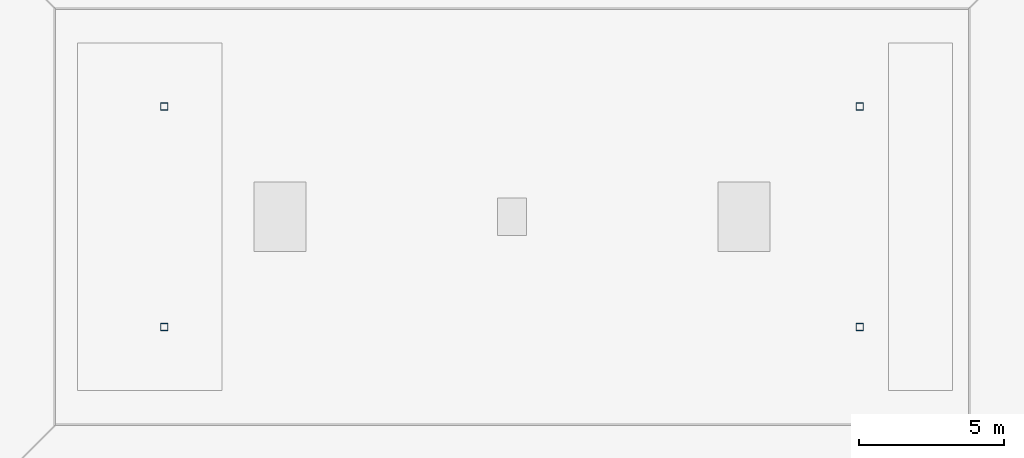
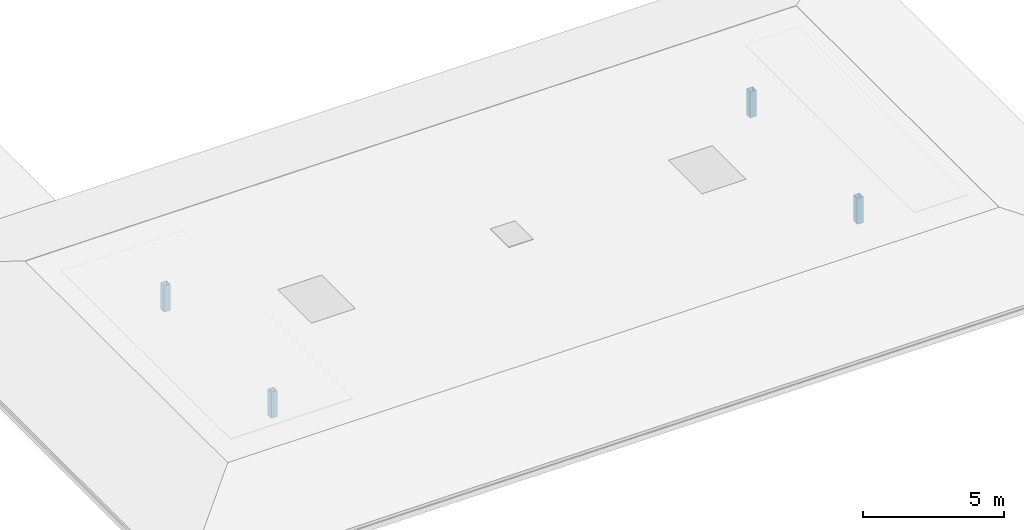
# One storey, part 1 of 63: 4 columns.
"""IFC4 building model written with IfcOpenShell, lengths in metres."""

import ifcopenshell
import ifcopenshell.guid

model = None  # the IFC model being written
_history = None  # IfcOwnerHistory: only IFC2X3 demands one
_inside = {}  # id of a spatial element -> (the spatial element, [elements in it])
_under = {}  # id of a project, library or spatial element -> (it, [spatial elements below it])
_declared = {}  # id of a project -> (the project, [libraries it declares])
_typed = {}  # id of a type object -> (the type object, [elements of that type])
_made_of = {}  # id of a material, layer set ... -> (it, [elements and type objects made of it])


def new_model(schema):
    """Start an empty IFC model of exactly this schema.

    Asked for "IFC4X3", IfcOpenShell would pick the latest addendum, in which some entities
    have other attributes; the version numbers below select the first issue.
    IFC2X3 requires an IfcOwnerHistory on every rooted entity: one is made here for all.
    """
    global model, _history
    if schema == "IFC4X3":
        model = ifcopenshell.file(schema_version=(4, 3, 0, 0))
    else:
        model = ifcopenshell.file(schema=schema)
    _inside.clear()
    _under.clear()
    _declared.clear()
    _typed.clear()
    _made_of.clear()
    _history = None
    if model.schema == "IFC2X3":
        org = make("IfcOrganization", Name="unknown")
        user = make(
            "IfcPersonAndOrganization",
            ThePerson=make("IfcPerson", FamilyName="unknown"),
            TheOrganization=org,
        )
        app = make(
            "IfcApplication",
            ApplicationDeveloper=org,
            Version="unknown",
            ApplicationFullName="unknown",
            ApplicationIdentifier="unknown",
        )
        _history = make(
            "IfcOwnerHistory",
            OwningUser=user,
            OwningApplication=app,
            ChangeAction="ADDED",
            CreationDate=0,
        )
    return model


def make(cls, **values):
    """One entity of the class cls with the attributes given. An attribute that is None is left unset."""
    return model.create_entity(
        cls, **{name: value for name, value in values.items() if value is not None}
    )


def rooted(cls, **values):
    """An entity with a GlobalId (a new one), such as an element, a storey or a relation."""
    return make(cls, GlobalId=ifcopenshell.guid.new(), OwnerHistory=_history, **values)


def si_unit(unit_type, name, prefix=None):
    """IfcSIUnit, for example si_unit("LENGTHUNIT", "METRE", prefix="MILLI")."""
    return make("IfcSIUnit", UnitType=unit_type, Prefix=prefix, Name=name)


def assignment(units):
    """IfcUnitAssignment: the units of a project."""
    return None if units is None else make("IfcUnitAssignment", Units=units)


def point(xyz):
    """IfcCartesianPoint."""
    return None if xyz is None else make("IfcCartesianPoint", Coordinates=xyz)


def direction(xyz):
    """IfcDirection."""
    return None if xyz is None else make("IfcDirection", DirectionRatios=xyz)


def frame(location, z_axis=None, x_axis=None):
    """IfcAxis2Placement3D, a coordinate frame: its origin and axes. An axis left out is left unset."""
    return make(
        "IfcAxis2Placement3D",
        Location=point(location),
        Axis=direction(z_axis),
        RefDirection=direction(x_axis),
    )


def frame_2d(location, x_axis=None):
    """IfcAxis2Placement2D, a coordinate frame in the plane: its origin and x axis."""
    return make(
        "IfcAxis2Placement2D", Location=point(location), RefDirection=direction(x_axis)
    )


def origin():
    """The frame at (0, 0, 0) with its axes left unset."""
    return frame((0.0, 0.0, 0.0))


def origin_2d():
    """The frame at (0, 0) in the plane with its x axis left unset."""
    return frame_2d((0.0, 0.0))


def place(relative_to, where):
    """IfcLocalPlacement: puts the frame where relative to a parent placement (None: the world)."""
    return make(
        "IfcLocalPlacement", PlacementRelTo=relative_to, RelativePlacement=where
    )


def context(
    kind, dimensions, precision=None, world=None, true_north=None, identifier=None
):
    """IfcGeometricRepresentationContext, for example the 3D "Model" context."""
    return make(
        "IfcGeometricRepresentationContext",
        ContextIdentifier=identifier,
        ContextType=kind,
        CoordinateSpaceDimension=dimensions,
        Precision=precision,
        WorldCoordinateSystem=world,
        TrueNorth=true_north,
    )


def subcontext(parent, identifier, kind, view, scale=None):
    """IfcGeometricRepresentationSubContext, for example "Body" below "Model"."""
    return make(
        "IfcGeometricRepresentationSubContext",
        ContextIdentifier=identifier,
        ContextType=kind,
        ParentContext=parent,
        TargetScale=scale,
        TargetView=view,
    )


def project(units=None, contexts=None):
    """IfcProject with its units and contexts."""
    return rooted(
        "IfcProject",
        Name="project",
        RepresentationContexts=contexts,
        UnitsInContext=assignment(units),
    )


def spatial(cls, under=None, at=None, **own):
    """A site, building, storey or space (cls), placed at a placement, below another one or the project."""
    s = rooted(cls, ObjectPlacement=at, **own)
    if under is not None:
        _under.setdefault(under.id(), (under, []))[1].append(s)
    return s


def profile(cls, at=None, kind="AREA", **sizes):
    """A parametric profile (cls). Its sizes go by their IFC names, for example OverallWidth=200.0."""
    return make(cls, ProfileType=kind, Position=at, **sizes)


def hollow_rectangle(**sizes):
    """IfcRectangleHollowProfileDef."""
    return profile("IfcRectangleHollowProfileDef", **sizes)


def extrude(swept, where, along, depth):
    """IfcExtrudedAreaSolid: the profile swept, set in the frame where, extruded along a direction by depth."""
    return make(
        "IfcExtrudedAreaSolid",
        SweptArea=swept,
        Position=where,
        ExtrudedDirection=direction(along),
        Depth=depth,
    )


def shape(context_of_items, identifier, shape_type, items):
    """IfcShapeRepresentation: the items that make up one representation, for example the "Body"."""
    return make(
        "IfcShapeRepresentation",
        ContextOfItems=context_of_items,
        RepresentationIdentifier=identifier,
        RepresentationType=shape_type,
        Items=items,
    )


def material(Name=None, Category=None):
    """IfcMaterial."""
    return make("IfcMaterial", Name=Name, Category=Category)


def material_profile(
    of_material, cross_section, Name=None, Category=None, Priority=None
):
    """IfcMaterialProfile: a cross section and its material."""
    return make(
        "IfcMaterialProfile",
        Name=Name,
        Material=of_material,
        Profile=cross_section,
        Priority=Priority,
        Category=Category,
    )


def profile_set(profiles, Name=None, composite=None):
    """IfcMaterialProfileSet."""
    return make(
        "IfcMaterialProfileSet",
        Name=Name,
        MaterialProfiles=profiles,
        CompositeProfile=composite,
    )


def made_of(thing, what):
    """Note that an element or type object is made of a material, layer set ...; save() writes the relation."""
    if what is not None:
        _made_of.setdefault(what.id(), (what, []))[1].append(thing)
    return thing


def type_object(cls, material=None, **own):
    """A type object (cls), such as IfcWallType, which elements share."""
    return made_of(rooted(cls, **own), material)


def element(
    cls,
    number,
    at=None,
    inside=None,
    cuts=None,
    type_object=None,
    material=None,
    context=None,
    identifier="Body",
    shape_type=None,
    held_by="IfcProductDefinitionShape",
    body=None,
    shapes=None,
    **own,
):
    """One element of the class cls, such as IfcWall. Its Tag is "e" and its number.

    at: its placement. inside: the storey or other place that contains it. cuts: it is an
    opening in that element (IfcRelVoidsElement). A single representation is given by context,
    identifier, shape_type and body (its items); several are given by shapes. held_by: the class
    of the entity that holds the representations. save() writes the other relations.
    """
    e = rooted(cls, Tag="e%d" % number, ObjectPlacement=at, **own)
    if body is not None:
        shapes = [shape(context, identifier, shape_type, body)]
    if shapes is not None:
        e.Representation = make(held_by, Representations=shapes)
    if inside is not None:
        _inside.setdefault(inside.id(), (inside, []))[1].append(e)
    if cuts is not None:
        rooted(
            "IfcRelVoidsElement", RelatingBuildingElement=cuts, RelatedOpeningElement=e
        )
    if type_object is not None:
        _typed.setdefault(type_object.id(), (type_object, []))[1].append(e)
    return made_of(e, material)


def aggregate(whole, parts):
    """IfcRelAggregates: a whole, such as a stair, and the parts it consists of."""
    return rooted("IfcRelAggregates", RelatingObject=whole, RelatedObjects=parts)


def save(model, path):
    """Write the relations noted so far, then the file.

    IfcRelAggregates (storeys below a building ...), IfcRelContainedInSpatialStructure (elements
    in a storey), IfcRelDefinesByType, IfcRelAssociatesMaterial and IfcRelDeclares: one each for
    every whole, place, type object, material and project.
    """
    for whole, parts in _under.values():
        aggregate(whole, parts)
    for where, things in _inside.values():
        rooted(
            "IfcRelContainedInSpatialStructure",
            RelatedElements=things,
            RelatingStructure=where,
        )
    for kind, things in _typed.values():
        rooted("IfcRelDefinesByType", RelatedObjects=things, RelatingType=kind)
    for what, things in _made_of.values():
        rooted("IfcRelAssociatesMaterial", RelatedObjects=things, RelatingMaterial=what)
    for by, libraries in _declared.values():
        rooted("IfcRelDeclares", RelatingContext=by, RelatedDefinitions=libraries)
    model.write(path)


model = new_model("IFC4")

# Units and contexts
model_context = context("Model", 3, precision=1e-05, world=origin(), true_north=direction((0.0, 1.0)))
body_context = subcontext(model_context, "Body", "Model", "MODEL_VIEW")
ifc_project = project(units=[si_unit("LENGTHUNIT", "METRE"), si_unit("AREAUNIT", "SQUARE_METRE"), si_unit("VOLUMEUNIT", "CUBIC_METRE"), si_unit("PLANEANGLEUNIT", "RADIAN"), si_unit("MASSUNIT", "GRAM", prefix="KILO")], contexts=[model_context])

# Site, building, storey
site_placement = place(None, origin())
site = spatial("IfcSite", under=ifc_project, at=site_placement, CompositionType="ELEMENT")
building_placement = place(site_placement, origin())
building = spatial("IfcBuilding", under=site, at=building_placement, Name="Zantavel Square City Hall", CompositionType="ELEMENT")
storey_placement = place(building_placement, frame((0.0, 0.0, 14.699951171875)))
storey = spatial("IfcBuildingStorey", under=building, at=storey_placement, Name="L04", CompositionType="ELEMENT", Elevation=14.699951171875)

# Columns
ifc_material = material(Name="Steel ASTM A500 Grade B", Category="steel")
ifc_material_profile = material_profile(ifc_material, hollow_rectangle(XDim=0.25390625, YDim=0.25390625, WallThickness=0.0126953125, at=origin_2d()), Name="HSS 254x254x12.7")
ifc_profile_set = profile_set([ifc_material_profile], Name="Steel ASTM A500 Grade B")
column_type = type_object("IfcColumnType", Name="Pavilion Steel Column HSS254", PredefinedType="COLUMN", material=ifc_profile_set)
for number, where, z_axis, x_axis, name in (
    (1, (16.0, 15.199951171875, 0.0), (0.0, 0.0, 1.0), (1.0, 0.0, 0.0), "ROOF-V3-MANSARD Attic Support Post 1"),
    (2, (40.0, 15.199951171875, 0.0), (0.0, 0.0, 1.0), (1.0, 0.0, 0.0), "ROOF-V3-MANSARD Attic Support Post 2"),
    (3, (16.0, 22.800048828125, 0.0), (0.0, 0.0, 1.0), (1.0, 0.0, 0.0), "ROOF-V3-MANSARD Attic Support Post 3"),
    (4, (40.0, 22.800048828125, 0.0), (0.0, 0.0, 1.0), (1.0, 0.0, 0.0), "ROOF-V3-MANSARD Attic Support Post 4"),
):
    element("IfcColumn", number, at=place(storey_placement, frame(where, z_axis=z_axis, x_axis=x_axis)), inside=storey, type_object=column_type, Name=name, PredefinedType="COLUMN", context=body_context, shape_type="SweptSolid", body=[
        extrude(hollow_rectangle(XDim=0.25390625, YDim=0.25390625, WallThickness=0.0126953125, at=origin_2d()), origin(), (0.0, 0.0, 1.0), 1.13427734375),
    ])

save(model, "model.ifc")
